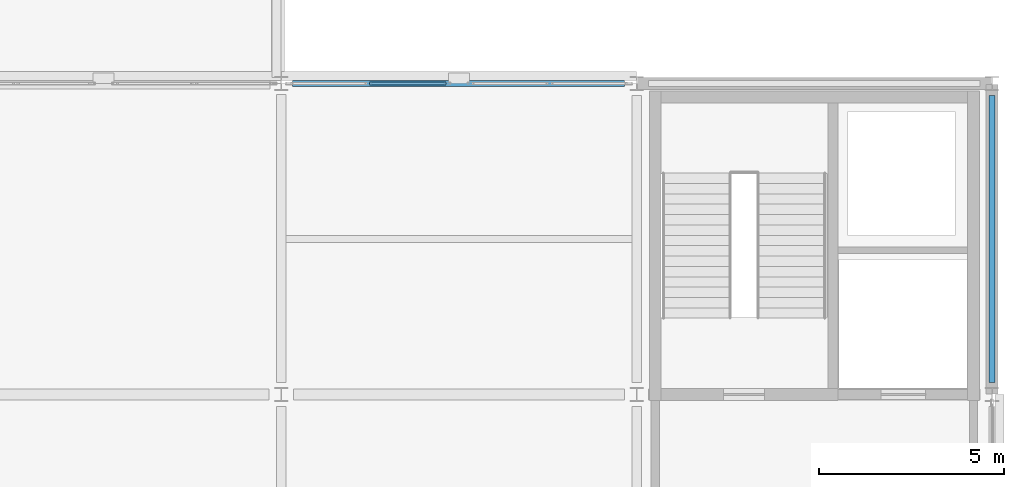
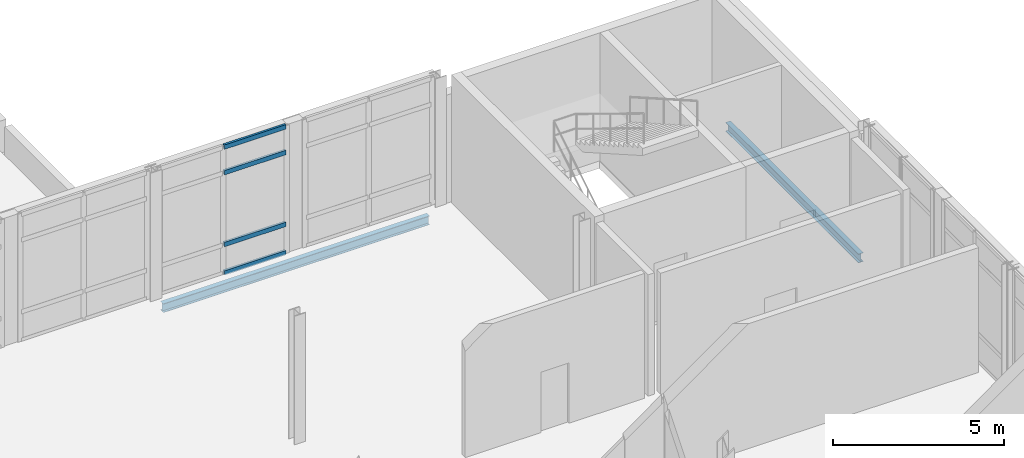
# One storey, part 29 of 52: 4 members, 2 beams, 1 element without a shape of its own.
"""IFC4 building model written with IfcOpenShell, lengths in metres."""

from ifc_helpers import new_model, si_unit, direction, frame, origin, origin_2d, place, context, subcontext, project, spatial, hollow_rectangle, i_section, extrude, material, layer, layer_set, material_profile, profile_set, type_object, element, aggregate, save


model = new_model("IFC4")

# Units and contexts
model_context = context("Model", 3, precision=1e-05, world=origin(), true_north=direction((0.0, 1.0)))
body_context = subcontext(model_context, "Body", "Model", "MODEL_VIEW")
ifc_project = project(units=[si_unit("LENGTHUNIT", "METRE"), si_unit("AREAUNIT", "SQUARE_METRE"), si_unit("VOLUMEUNIT", "CUBIC_METRE"), si_unit("PLANEANGLEUNIT", "RADIAN"), si_unit("MASSUNIT", "GRAM", prefix="KILO")], contexts=[model_context])

# Site, building, storey
site_placement = place(None, origin())
site = spatial("IfcSite", under=ifc_project, at=site_placement, CompositionType="ELEMENT")
building_placement = place(site_placement, origin())
building = spatial("IfcBuilding", under=site, at=building_placement, Name="Lornevale Opera House", CompositionType="ELEMENT")
storey_placement = place(building_placement, frame((0.0, 0.0, 15.0)))
storey = spatial("IfcBuildingStorey", under=building, at=storey_placement, Name="L04", CompositionType="ELEMENT", Elevation=15.0)

# Curtain wall, members
ifc_material_1 = material(Name="Anodized Oxide-Green Aluminium Framing", Category="aluminium")
ifc_layer = layer(ifc_material_1, 0.18505859375)
ifc_layer_set = layer_set([ifc_layer], Name="Anodized Oxide-Green Aluminium Framing")
curtain_wall_type = type_object("IfcCurtainWallType", Name="Conservatory Curtain Wall M2100", PredefinedType="NOTDEFINED", material=ifc_layer_set)
curtain_wall_placement = place(storey_placement, origin())
curtain_wall = element("IfcCurtainWall", 1, at=curtain_wall_placement, inside=storey, type_object=curtain_wall_type, Name="Conservatory Curtain Wall M2100 CW-159", PredefinedType="NOTDEFINED")
ifc_material_profile_1 = material_profile(ifc_material_1, hollow_rectangle(XDim=0.074951171875, YDim=0.159912109375, WallThickness=0.0048828125, at=origin_2d()), Name="ALU75x160x5")
ifc_profile_set_1 = profile_set([ifc_material_profile_1], Name="Anodized Oxide-Green Aluminium Framing")
member_type = type_object("IfcMemberType", Name="Curtain Wall Transom 75x160", PredefinedType="USERDEFINED", material=ifc_profile_set_1)
member_1_placement = place(storey_placement, frame((127.183837890625, 75.60009765625, 0.03759765625), z_axis=(1.0, 0.0, 0.0), x_axis=(0.0, 1.0, 0.0)))
member_1 = element("IfcMember", 2, at=member_1_placement, type_object=member_type, Name="Curtain Wall Transom 75x160 CW3265", ObjectType="TRANSOM", PredefinedType="USERDEFINED", context=body_context, shape_type="SweptSolid", body=[
    extrude(hollow_rectangle(XDim=0.074951171875, YDim=0.159912109375, WallThickness=0.0048828125, at=origin_2d()), origin(), (0.0, 0.0, 1.0), 2.071044921875),
])
member_2_placement = place(storey_placement, frame((127.183837890625, 75.60009765625, 1.050048828125), z_axis=(1.0, 0.0, 0.0), x_axis=(0.0, 1.0, 0.0)))
member_2 = element("IfcMember", 3, at=member_2_placement, type_object=member_type, Name="Curtain Wall Transom 75x160 CW3266", ObjectType="TRANSOM", PredefinedType="USERDEFINED", context=body_context, shape_type="SweptSolid", body=[
    extrude(hollow_rectangle(XDim=0.074951171875, YDim=0.159912109375, WallThickness=0.0048828125, at=origin_2d()), origin(), (0.0, 0.0, 1.0), 2.071044921875),
])
member_3_placement = place(storey_placement, frame((127.183837890625, 75.60009765625, 3.610107421875), z_axis=(1.0, 0.0, 0.0), x_axis=(0.0, 1.0, 0.0)))
member_3 = element("IfcMember", 4, at=member_3_placement, type_object=member_type, Name="Curtain Wall Transom 75x160 CW3267", ObjectType="TRANSOM", PredefinedType="USERDEFINED", context=body_context, shape_type="SweptSolid", body=[
    extrude(hollow_rectangle(XDim=0.074951171875, YDim=0.159912109375, WallThickness=0.0048828125, at=origin_2d()), origin(), (0.0, 0.0, 1.0), 2.071044921875),
])
member_4_placement = place(storey_placement, frame((127.183837890625, 75.60009765625, 4.5224609375), z_axis=(1.0, 0.0, 0.0), x_axis=(0.0, 1.0, 0.0)))
member_4 = element("IfcMember", 5, at=member_4_placement, type_object=member_type, Name="Curtain Wall Transom 75x160 CW3268", ObjectType="TRANSOM", PredefinedType="USERDEFINED", context=body_context, shape_type="SweptSolid", body=[
    extrude(hollow_rectangle(XDim=0.074951171875, YDim=0.159912109375, WallThickness=0.0048828125, at=origin_2d()), origin(), (0.0, 0.0, 1.0), 2.071044921875),
])
aggregate(curtain_wall, [member_1, member_2, member_3, member_4])

# Beams
ifc_material_2 = material(Name="Structural Steel CSA G40.21 Grade 350W (350 MPa)", Category="steel")
ifc_material_profile_2 = material_profile(ifc_material_2, i_section(OverallWidth=0.1669921875, OverallDepth=0.31689453125, WebThickness=0.007568359375, FlangeThickness=0.01318359375, at=origin_2d()), Name="W310x52")
ifc_profile_set_2 = profile_set([ifc_material_profile_2], Name="Structural Steel CSA G40.21 Grade 350W (350 MPa)")
beam_type = type_object("IfcBeamType", Name="Steel Spandrel Beam W310x52", PredefinedType="SPANDREL", material=ifc_profile_set_2)
beam_1_placement = place(storey_placement, frame((125.10009765625, 75.60009765625, -0.46337890625), z_axis=(1.0, 0.0, 0.0), x_axis=(0.0, 1.0, 0.0)))
element("IfcBeam", 6, at=beam_1_placement, inside=storey, type_object=beam_type, Name="Steel Spandrel Beam W310x52 2539", PredefinedType="SPANDREL", context=body_context, shape_type="SweptSolid", body=[
    extrude(i_section(OverallWidth=0.1669921875, OverallDepth=0.31689453125, WebThickness=0.007568359375, FlangeThickness=0.01318359375, at=origin_2d()), origin(), (0.0, 0.0, 1.0), 8.974853515625),
])
beam_2_placement = place(storey_placement, frame((144.0, 67.52490234375, -0.43359375), z_axis=(0.0, 1.0, 0.0), x_axis=(-1.0, 0.0, 0.0)))
element("IfcBeam", 7, at=beam_2_placement, inside=storey, type_object=beam_type, Name="Steel Spandrel Beam W310x52 2652", PredefinedType="SPANDREL", context=body_context, shape_type="SweptSolid", body=[
    extrude(i_section(OverallWidth=0.1669921875, OverallDepth=0.31689453125, WebThickness=0.007568359375, FlangeThickness=0.01318359375, at=origin_2d()), origin(), (0.0, 0.0, 1.0), 7.75),
])

save(model, "model.ifc")
